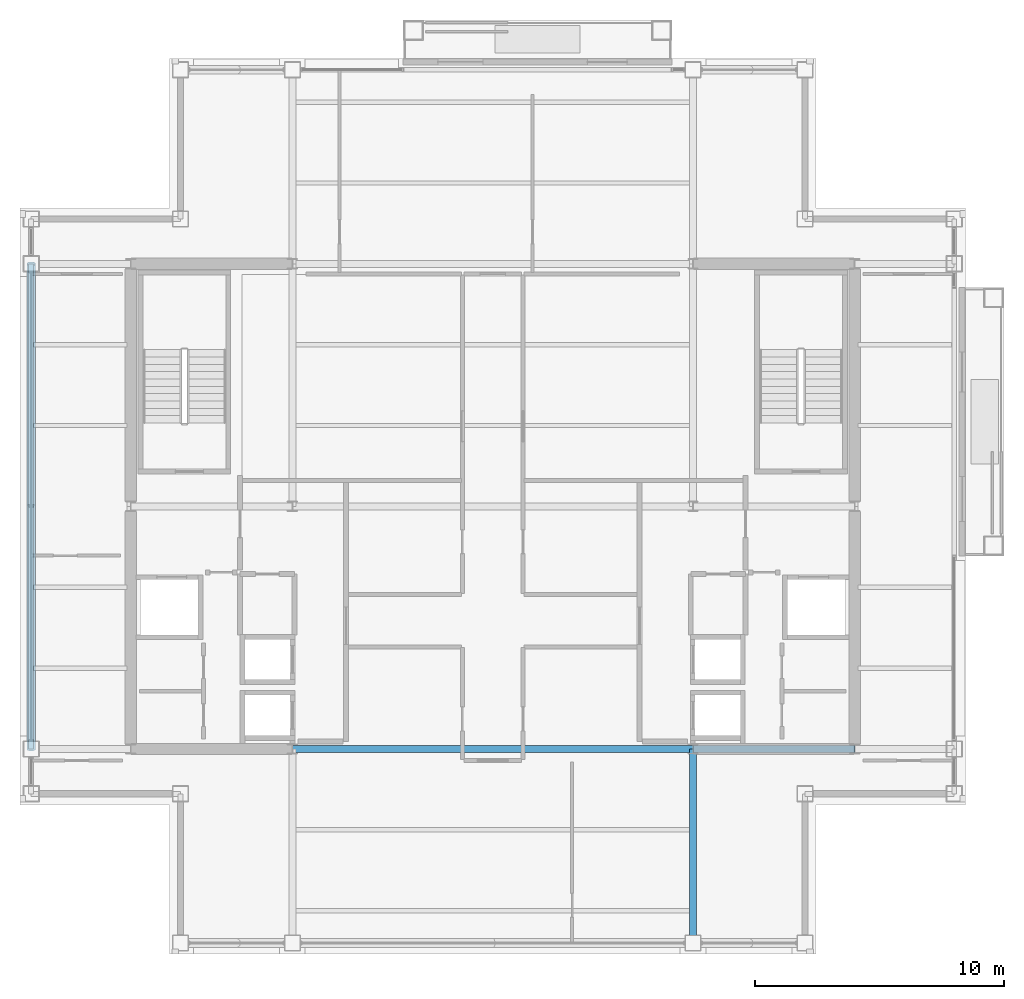
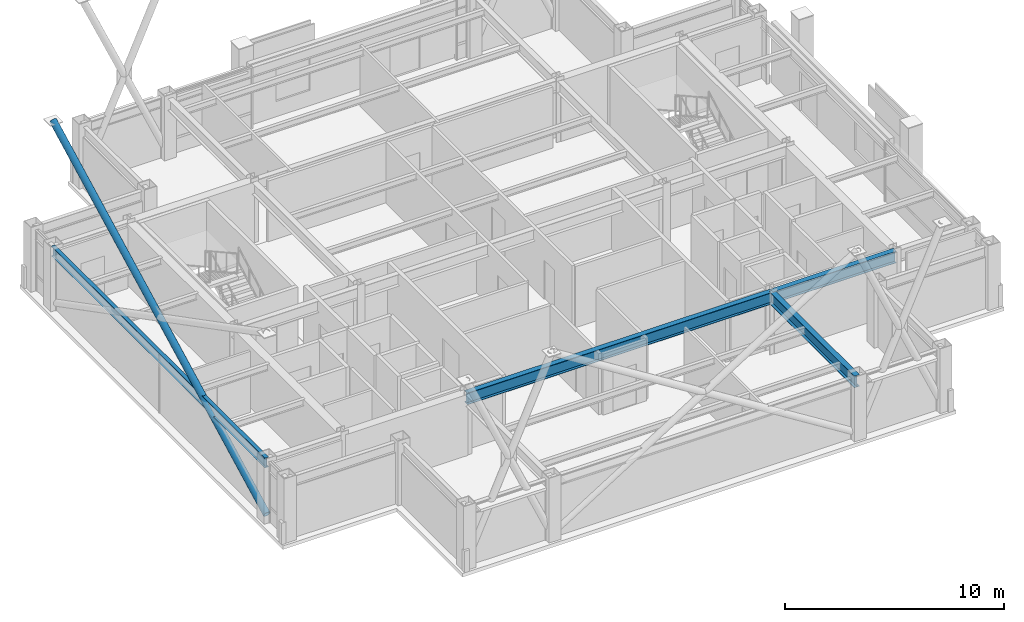
# One storey, part 9 of 28: 4 beams, 1 member.
"""IFC4 building model written with IfcOpenShell, lengths in metres."""

from ifc_helpers import new_model, si_unit, direction, frame, origin, origin_2d, place, context, subcontext, project, spatial, hollow_circle, i_section, extrude, material, material_profile, profile_set, type_object, element, save


model = new_model("IFC4")

# Units and contexts
model_context = context("Model", 3, precision=1e-05, world=origin(), true_north=direction((0.0, 1.0)))
body_context = subcontext(model_context, "Body", "Model", "MODEL_VIEW")
ifc_project = project(units=[si_unit("LENGTHUNIT", "METRE"), si_unit("AREAUNIT", "SQUARE_METRE"), si_unit("VOLUMEUNIT", "CUBIC_METRE"), si_unit("PLANEANGLEUNIT", "RADIAN"), si_unit("MASSUNIT", "GRAM", prefix="KILO")], contexts=[model_context])

# Site, building, storey
site_placement = place(None, origin())
site = spatial("IfcSite", under=ifc_project, at=site_placement, CompositionType="ELEMENT")
building_placement = place(site_placement, origin())
building = spatial("IfcBuilding", under=site, at=building_placement, Name="Brelmoor Portico Tower", CompositionType="ELEMENT")
storey_placement = place(building_placement, frame((0.0, 0.0, 225.60009765625)))
storey = spatial("IfcBuildingStorey", under=building, at=storey_placement, Name="L59", CompositionType="ELEMENT", Elevation=225.60009765625)

# Beams
ifc_material = material(Name="Steel Q355B", Category="steel")
ifc_material_profile_1 = material_profile(ifc_material, i_section(OverallWidth=0.280029296875, OverallDepth=0.64990234375, WebThickness=0.012939453125, FlangeThickness=0.02197265625, at=origin_2d()), Name="HN 650x280x13x22")
ifc_profile_set_1 = profile_set([ifc_material_profile_1], Name="Steel Q355B")
beam_type_1 = type_object("IfcBeamType", Name="BM-PG-650", PredefinedType="BEAM", material=ifc_profile_set_1)
beam_1_placement = place(storey_placement, frame((8.050048828125, -17.550048828125, 3.074951171875), z_axis=(0.0, 1.0, 0.0), x_axis=(-1.0, 0.0, 0.0)))
element("IfcBeam", 1, at=beam_1_placement, inside=storey, type_object=beam_type_1, Name="L59 Primary Floor Girder PG-06", PredefinedType="BEAM", context=body_context, shape_type="SweptSolid", body=[
    extrude(i_section(OverallWidth=0.280029296875, OverallDepth=0.64990234375, WebThickness=0.012939453125, FlangeThickness=0.02197265625, at=origin_2d()), origin(), (0.0, 0.0, 1.0), 7.800048828125),
])
beam_2_placement = place(storey_placement, frame((-8.050048828125, -9.75, 3.074951171875), z_axis=(1.0, 0.0, 0.0), x_axis=(0.0, 1.0, 0.0)))
element("IfcBeam", 2, at=beam_2_placement, inside=storey, type_object=beam_type_1, Name="L59 Primary Floor Girder PG-13", PredefinedType="BEAM", context=body_context, shape_type="SweptSolid", body=[
    extrude(i_section(OverallWidth=0.280029296875, OverallDepth=0.64990234375, WebThickness=0.012939453125, FlangeThickness=0.02197265625, at=origin_2d()), origin(), (0.0, 0.0, 1.0), 16.10009765625),
])
beam_3_placement = place(storey_placement, frame((8.050048828125, -9.75, 3.074951171875), z_axis=(1.0, 0.0, 0.0), x_axis=(0.0, 1.0, 0.0)))
element("IfcBeam", 3, at=beam_3_placement, inside=storey, type_object=beam_type_1, Name="L59 Primary Floor Girder PG-14", PredefinedType="BEAM", context=body_context, shape_type="SweptSolid", body=[
    extrude(i_section(OverallWidth=0.280029296875, OverallDepth=0.64990234375, WebThickness=0.012939453125, FlangeThickness=0.02197265625, at=origin_2d()), origin(), (0.0, 0.0, 1.0), 6.5),
])
ifc_material_profile_2 = material_profile(ifc_material, i_section(OverallWidth=0.199951171875, OverallDepth=0.550048828125, WebThickness=0.010009765625, FlangeThickness=0.01611328125, at=origin_2d()), Name="HN 550x200x10x16")
ifc_profile_set_2 = profile_set([ifc_material_profile_2], Name="Steel Q355B")
beam_type_2 = type_object("IfcBeamType", Name="BM-SP-550", PredefinedType="SPANDREL", material=ifc_profile_set_2)
beam_4_placement = place(storey_placement, frame((-18.550048828125, -9.75, 3.125), z_axis=(0.0, 1.0, 0.0), x_axis=(-1.0, 0.0, 0.0)))
element("IfcBeam", 4, at=beam_4_placement, inside=storey, type_object=beam_type_2, Name="L59 Perimeter Spandrel Beam SP-12", PredefinedType="SPANDREL", context=body_context, shape_type="SweptSolid", body=[
    extrude(i_section(OverallWidth=0.199951171875, OverallDepth=0.550048828125, WebThickness=0.010009765625, FlangeThickness=0.01611328125, at=origin_2d()), origin(), (0.0, 0.0, 1.0), 19.5),
])

# Member
ifc_material_profile_3 = material_profile(ifc_material, hollow_circle(Radius=0.177978515625, WallThickness=0.01611328125, at=origin_2d()), Name="CHS 356x16")
ifc_profile_set_3 = profile_set([ifc_material_profile_3], Name="Steel Q355B")
member_type = type_object("IfcMemberType", Name="MB-BELT-DIAG2", PredefinedType="BRACE", material=ifc_profile_set_3)
member_placement = place(storey_placement, frame((-18.550048828125, -9.75, 0.25), z_axis=(0.0, 0.8879639262, 0.459913106758), x_axis=(-1.0, 0.0, 0.0)))
element("IfcMember", 5, at=member_placement, inside=storey, type_object=member_type, Name="L59 Continuous Mega-X Brace 138A", PredefinedType="BRACE", context=body_context, shape_type="SweptSolid", body=[
    extrude(hollow_circle(Radius=0.177978515625, WallThickness=0.01611328125, at=origin_2d()), origin(), (0.0, 0.0, 1.0), 21.96044921875),
])

save(model, "model.ifc")
